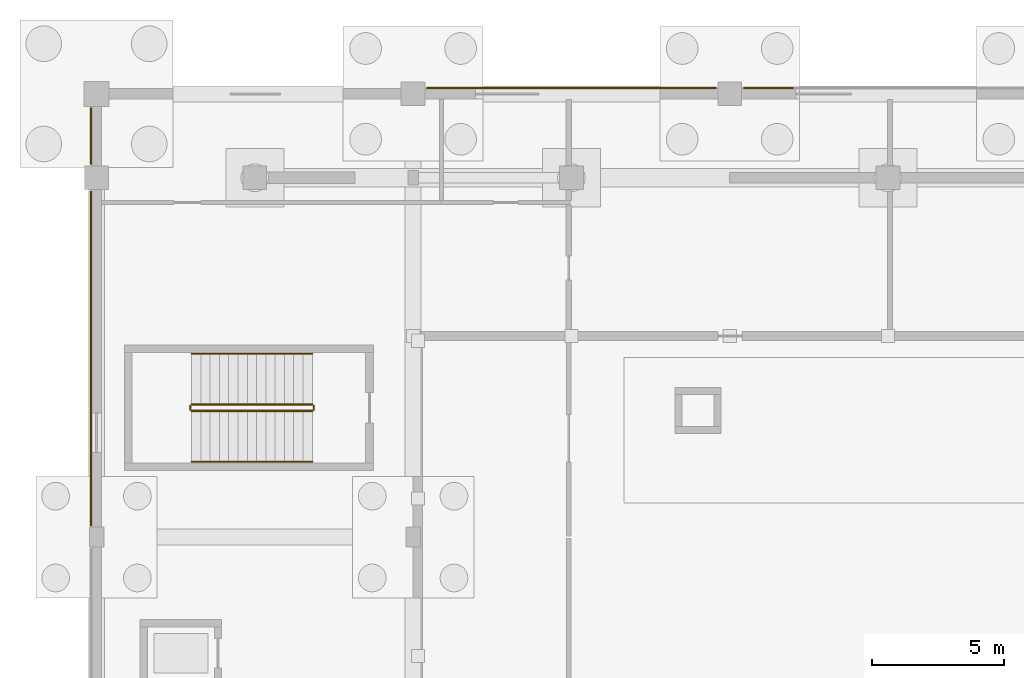
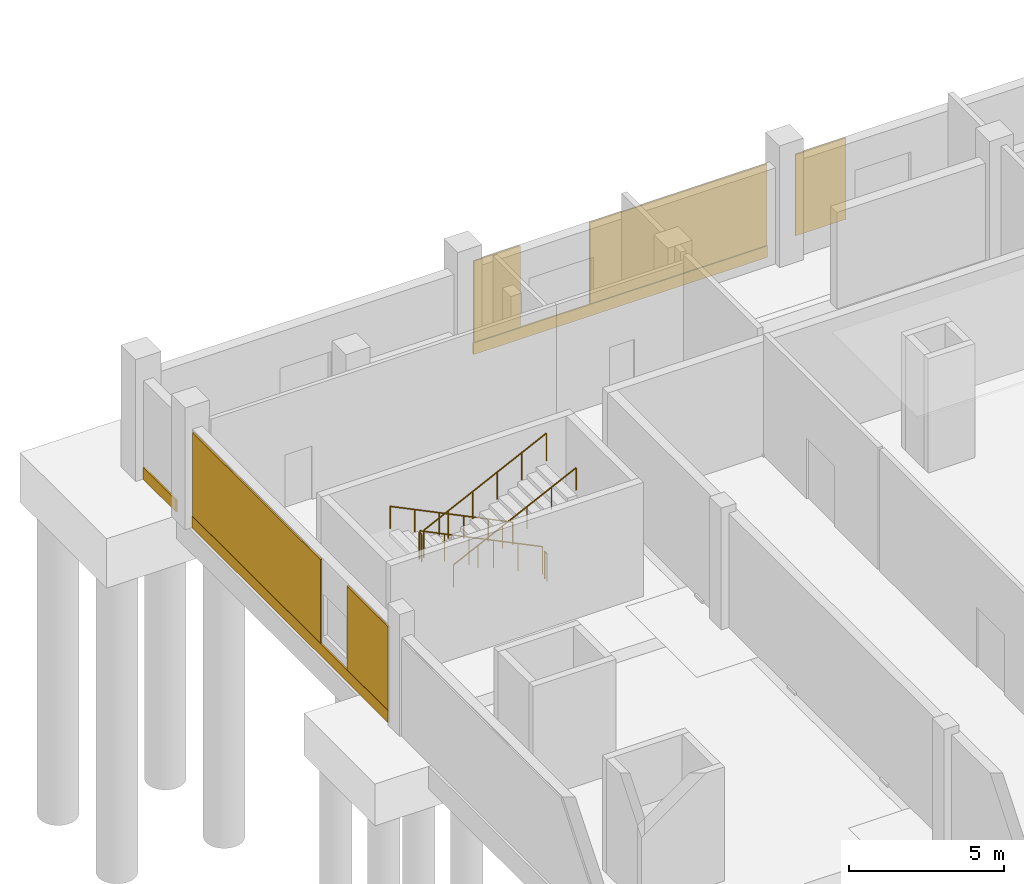
# One storey, part 74 of 82: 8 coverings, 6 railings.
"""IFC4 building model written with IfcOpenShell, lengths in metres."""

from ifc_helpers import new_model, si_unit, direction, frame, origin, origin_2d, place, context, subcontext, project, spatial, rectangle, circle, extrude, material, layer, layer_set, type_object, element, save


model = new_model("IFC4")

# Units and contexts
model_context = context("Model", 3, precision=1e-05, world=origin(), true_north=direction((0.0, 1.0)))
body_context = subcontext(model_context, "Body", "Model", "MODEL_VIEW")
ifc_project = project(units=[si_unit("LENGTHUNIT", "METRE"), si_unit("AREAUNIT", "SQUARE_METRE"), si_unit("VOLUMEUNIT", "CUBIC_METRE"), si_unit("PLANEANGLEUNIT", "RADIAN"), si_unit("MASSUNIT", "GRAM", prefix="KILO")], contexts=[model_context])

# Site, building, storey
site_placement = place(None, origin())
site = spatial("IfcSite", under=ifc_project, at=site_placement, CompositionType="ELEMENT")
building_placement = place(site_placement, origin())
building = spatial("IfcBuilding", under=site, at=building_placement, Name="Kelmvaro Bay Concert Hall", CompositionType="ELEMENT")
storey_placement = place(building_placement, origin())
storey = spatial("IfcBuildingStorey", under=building, at=storey_placement, Name="L00", CompositionType="ELEMENT", Elevation=0.0)

# Coverings
ifc_material_1 = material(Name="Honed Florida Limestone Travertine", Category="masonry")
ifc_layer = layer(ifc_material_1, 0.054931640625)
ifc_layer_set = layer_set([ifc_layer], Name="Honed Florida Limestone Travertine")
covering_type = type_object("IfcCoveringType", Name="Honed Florida Travertine Rainscreen Cladding 55", PredefinedType="CLADDING", material=ifc_layer_set)
covering_1_placement = place(storey_placement, frame((18.0, 114.2255859375, 0.0400390625), z_axis=(0.0, 0.0, 1.0), x_axis=(1.0, 0.0, 0.0)))
element("IfcCovering", 1, at=covering_1_placement, inside=storey, type_object=covering_type, Name="L00 Travertine Sill Band 0001", PredefinedType="CLADDING", context=body_context, shape_type="SweptSolid", body=[
    extrude(rectangle(XDim=10.97998046875, YDim=0.054931640625, at=origin_2d()), origin(), (0.0, 0.0, 1.0), 0.4599609375),
])
covering_2_placement = place(storey_placement, frame((13.39404296875, 114.2255859375, 0.52001953125), z_axis=(0.0, 0.0, 1.0), x_axis=(1.0, 0.0, 0.0)))
element("IfcCovering", 2, at=covering_2_placement, inside=storey, type_object=covering_type, Name="L00 Travertine Pier Panel 0002", PredefinedType="CLADDING", context=body_context, shape_type="SweptSolid", body=[
    extrude(rectangle(XDim=1.72802734375, YDim=0.054931640625, at=origin_2d()), origin(), (0.0, 0.0, 1.0), 3.20703125),
])
covering_3_placement = place(storey_placement, frame((20.1640625, 114.2255859375, 0.52001953125), z_axis=(0.0, 0.0, 1.0), x_axis=(1.0, 0.0, 0.0)))
element("IfcCovering", 3, at=covering_3_placement, inside=storey, type_object=covering_type, Name="L00 Travertine Pier Panel 0003", PredefinedType="CLADDING", context=body_context, shape_type="SweptSolid", body=[
    extrude(rectangle(XDim=6.612060546875, YDim=0.054931640625, at=origin_2d()), origin(), (0.0, 0.0, 1.0), 3.20703125),
])
covering_4_placement = place(storey_placement, frame((25.468994140625, 114.2255859375, 0.52001953125), z_axis=(0.0, 0.0, 1.0), x_axis=(1.0, 0.0, 0.0)))
element("IfcCovering", 4, at=covering_4_placement, inside=storey, type_object=covering_type, Name="L00 Travertine Pier Panel 0005", PredefinedType="CLADDING", context=body_context, shape_type="SweptSolid", body=[
    extrude(rectangle(XDim=1.8779296875, YDim=0.054931640625, at=origin_2d()), origin(), (0.0, 0.0, 1.0), 3.20703125),
])
covering_5_placement = place(storey_placement, frame((-0.20556640625, 103.972412109375, 0.0400390625), z_axis=(0.0, 0.0, 1.0), x_axis=(0.0, 1.0, 0.0)))
element("IfcCovering", 5, at=covering_5_placement, inside=storey, type_object=covering_type, Name="L00 Travertine Sill Band 0011", PredefinedType="CLADDING", context=body_context, shape_type="SweptSolid", body=[
    extrude(rectangle(XDim=12.675048828125, YDim=0.054931640625, at=origin_2d()), origin(), (0.0, 0.0, 1.0), 0.4599609375),
])
covering_6_placement = place(storey_placement, frame((-0.20556640625, 98.981201171875, 0.52001953125), z_axis=(0.0, 0.0, 1.0), x_axis=(0.0, 1.0, 0.0)))
element("IfcCovering", 6, at=covering_6_placement, inside=storey, type_object=covering_type, Name="L00 Travertine Pier Panel 0012", PredefinedType="CLADDING", context=body_context, shape_type="SweptSolid", body=[
    extrude(rectangle(XDim=2.653076171875, YDim=0.054931640625, at=origin_2d()), origin(), (0.0, 0.0, 1.0), 3.2890625),
])
covering_7_placement = place(storey_placement, frame((-0.20556640625, 106.148681640625, 0.52001953125), z_axis=(0.0, 0.0, 1.0), x_axis=(0.0, 1.0, 0.0)))
element("IfcCovering", 7, at=covering_7_placement, inside=storey, type_object=covering_type, Name="L00 Travertine Pier Panel 0013", PredefinedType="CLADDING", context=body_context, shape_type="SweptSolid", body=[
    extrude(rectangle(XDim=8.281982421875, YDim=0.054931640625, at=origin_2d()), origin(), (0.0, 0.0, 1.0), 3.2890625),
])
covering_8_placement = place(storey_placement, frame((-0.20556640625, 112.3974609375, 0.0400390625), z_axis=(0.0, 0.0, 1.0), x_axis=(0.0, 1.0, 0.0)))
element("IfcCovering", 8, at=covering_8_placement, inside=storey, type_object=covering_type, Name="L00 Travertine Sill Band 0014", PredefinedType="CLADDING", context=body_context, shape_type="SweptSolid", body=[
    extrude(rectangle(XDim=2.135009765625, YDim=0.054931640625, at=origin_2d()), origin(), (0.0, 0.0, 1.0), 0.4599609375),
])

# Railings
ifc_material_2 = material(Name="Brushed Stainless Steel 316", Category="steel")
railing_type_1 = type_object("IfcRailingType", Name="Stair Stainless Wall Handrail 900", PredefinedType="HANDRAIL", material=ifc_material_2)
railing_1_placement = place(storey_placement, frame((8.179931640625, 104.14990234375, 0.17138671875)))
element("IfcRailing", 9, at=railing_1_placement, inside=storey, type_object=railing_type_1, Name="L00 ST-03 stair handrail 1", PredefinedType="HANDRAIL", context=body_context, shape_type="SweptSolid", body=[
    extrude(circle(Radius=0.02392578125, at=origin_2d()), frame((0.0, 0.0, 0.8759765625), z_axis=(-0.899050392795, 0.0, 0.437845168086), x_axis=(0.0, -1.0, 0.0)), (0.0, 0.0, 1.0), 5.08984375),
    extrude(circle(Radius=0.02099609375, at=origin_2d()), origin(), (0.0, 0.0, 1.0), 0.851806640625),
    extrude(circle(Radius=0.02099609375, at=origin_2d()), frame((-0.915283203125, 0.0, 0.44580078125)), (0.0, 0.0, 1.0), 0.851806640625),
    extrude(circle(Radius=0.02099609375, at=origin_2d()), frame((-1.830322265625, 0.0, 0.891357421875)), (0.0, 0.0, 1.0), 0.851806640625),
    extrude(circle(Radius=0.02099609375, at=origin_2d()), frame((-2.74560546875, 0.0, 1.337158203125)), (0.0, 0.0, 1.0), 0.851806640625),
    extrude(circle(Radius=0.02099609375, at=origin_2d()), frame((-3.66064453125, 0.0, 1.78271484375)), (0.0, 0.0, 1.0), 0.851806640625),
    extrude(circle(Radius=0.02099609375, at=origin_2d()), frame((-4.575927734375, 0.0, 2.228515625)), (0.0, 0.0, 1.0), 0.851806640625),
])
railing_2_placement = place(storey_placement, frame((3.60400390625, 100.06005859375, 2.571533203125)))
element("IfcRailing", 10, at=railing_2_placement, inside=storey, type_object=railing_type_1, Name="L00 ST-03 stair handrail 2", PredefinedType="HANDRAIL", context=body_context, shape_type="SweptSolid", body=[
    extrude(circle(Radius=0.02392578125, at=origin_2d()), frame((0.0, 0.0, 0.8759765625), z_axis=(0.899050392795, 0.0, 0.437845168086), x_axis=(0.0, 1.0, 0.0)), (0.0, 0.0, 1.0), 5.08984375),
    extrude(circle(Radius=0.02099609375, at=origin_2d()), origin(), (0.0, 0.0, 1.0), 0.851806640625),
    extrude(circle(Radius=0.02099609375, at=origin_2d()), frame((0.915283203125, 0.0, 0.44580078125)), (0.0, 0.0, 1.0), 0.851806640625),
    extrude(circle(Radius=0.02099609375, at=origin_2d()), frame((1.830322265625, 0.0, 0.891357421875)), (0.0, 0.0, 1.0), 0.851806640625),
    extrude(circle(Radius=0.02099609375, at=origin_2d()), frame((2.74560546875, 0.0, 1.337158203125)), (0.0, 0.0, 1.0), 0.851806640625),
    extrude(circle(Radius=0.02099609375, at=origin_2d()), frame((3.66064453125, 0.0, 1.78271484375)), (0.0, 0.0, 1.0), 0.851806640625),
    extrude(circle(Radius=0.02099609375, at=origin_2d()), frame((4.575927734375, 0.0, 2.228515625)), (0.0, 0.0, 1.0), 0.851806640625),
])
ifc_material_3 = material(Name="Powder-Coated Steel ASTM A500", Category="steel")
railing_type_2 = type_object("IfcRailingType", Name="Stair Well Painted Steel Guard 1100", PredefinedType="BALUSTRADE", material=ifc_material_3)
railing_3_placement = place(storey_placement, frame((8.179931640625, 102.22998046875, 0.17138671875)))
element("IfcRailing", 11, at=railing_3_placement, inside=storey, type_object=railing_type_2, Name="L00 ST-03 stair guard 1", PredefinedType="BALUSTRADE", context=body_context, shape_type="SweptSolid", body=[
    extrude(circle(Radius=0.02392578125, at=origin_2d()), frame((0.0, 0.0, 1.076171875), z_axis=(-0.899050392795, 0.0, 0.437845168086), x_axis=(0.0, -1.0, 0.0)), (0.0, 0.0, 1.0), 5.08984375),
    extrude(circle(Radius=0.02099609375, at=origin_2d()), origin(), (0.0, 0.0, 1.0), 1.052001953125),
    extrude(circle(Radius=0.02099609375, at=origin_2d()), frame((-0.915283203125, 0.0, 0.44580078125)), (0.0, 0.0, 1.0), 1.052001953125),
    extrude(circle(Radius=0.02099609375, at=origin_2d()), frame((-1.830322265625, 0.0, 0.891357421875)), (0.0, 0.0, 1.0), 1.052001953125),
    extrude(circle(Radius=0.02099609375, at=origin_2d()), frame((-2.74560546875, 0.0, 1.337158203125)), (0.0, 0.0, 1.0), 1.052001953125),
    extrude(circle(Radius=0.02099609375, at=origin_2d()), frame((-3.66064453125, 0.0, 1.78271484375)), (0.0, 0.0, 1.0), 1.052001953125),
    extrude(circle(Radius=0.02099609375, at=origin_2d()), frame((-4.575927734375, 0.0, 2.228515625)), (0.0, 0.0, 1.0), 1.052001953125),
])
railing_4_placement = place(storey_placement, frame((3.553955078125, 102.179931640625, 2.39990234375)))
element("IfcRailing", 12, at=railing_4_placement, inside=storey, type_object=railing_type_2, Name="L00 ST-03 stair guard 2", PredefinedType="BALUSTRADE", context=body_context, shape_type="SweptSolid", body=[
    extrude(circle(Radius=0.02392578125, at=origin_2d()), frame((0.0, 0.0, 1.076171875), z_axis=(0.0, -1.0, 0.0), x_axis=(1.0, 0.0, 0.0)), (0.0, 0.0, 1.0), 0.14990234375),
    extrude(circle(Radius=0.02099609375, at=origin_2d()), origin(), (0.0, 0.0, 1.0), 1.052001953125),
    extrude(circle(Radius=0.02099609375, at=origin_2d()), frame((0.0, -0.14990234375, 0.0)), (0.0, 0.0, 1.0), 1.052001953125),
])
railing_5_placement = place(storey_placement, frame((3.60400390625, 101.97998046875, 2.571533203125)))
element("IfcRailing", 13, at=railing_5_placement, inside=storey, type_object=railing_type_2, Name="L00 ST-03 stair guard 3", PredefinedType="BALUSTRADE", context=body_context, shape_type="SweptSolid", body=[
    extrude(circle(Radius=0.02392578125, at=origin_2d()), frame((0.0, 0.0, 1.076171875), z_axis=(0.899050392795, 0.0, 0.437845168086), x_axis=(0.0, 1.0, 0.0)), (0.0, 0.0, 1.0), 5.08984375),
    extrude(circle(Radius=0.02099609375, at=origin_2d()), origin(), (0.0, 0.0, 1.0), 1.052001953125),
    extrude(circle(Radius=0.02099609375, at=origin_2d()), frame((0.915283203125, 0.0, 0.44580078125)), (0.0, 0.0, 1.0), 1.052001953125),
    extrude(circle(Radius=0.02099609375, at=origin_2d()), frame((1.830322265625, 0.0, 0.891357421875)), (0.0, 0.0, 1.0), 1.052001953125),
    extrude(circle(Radius=0.02099609375, at=origin_2d()), frame((2.74560546875, 0.0, 1.337158203125)), (0.0, 0.0, 1.0), 1.052001953125),
    extrude(circle(Radius=0.02099609375, at=origin_2d()), frame((3.66064453125, 0.0, 1.78271484375)), (0.0, 0.0, 1.0), 1.052001953125),
    extrude(circle(Radius=0.02099609375, at=origin_2d()), frame((4.575927734375, 0.0, 2.228515625)), (0.0, 0.0, 1.0), 1.052001953125),
])
railing_6_placement = place(storey_placement, frame((8.22998046875, 102.179931640625, 0.0)))
element("IfcRailing", 14, at=railing_6_placement, inside=storey, type_object=railing_type_2, Name="L00 ST-03 stair guard 4", PredefinedType="BALUSTRADE", context=body_context, shape_type="SweptSolid", body=[
    extrude(circle(Radius=0.02392578125, at=origin_2d()), frame((0.0, 0.0, 1.076171875), z_axis=(0.0, -1.0, 0.0), x_axis=(1.0, 0.0, 0.0)), (0.0, 0.0, 1.0), 0.14990234375),
    extrude(circle(Radius=0.02099609375, at=origin_2d()), origin(), (0.0, 0.0, 1.0), 1.052001953125),
    extrude(circle(Radius=0.02099609375, at=origin_2d()), frame((0.0, -0.14990234375, 0.0)), (0.0, 0.0, 1.0), 1.052001953125),
])

save(model, "model.ifc")
